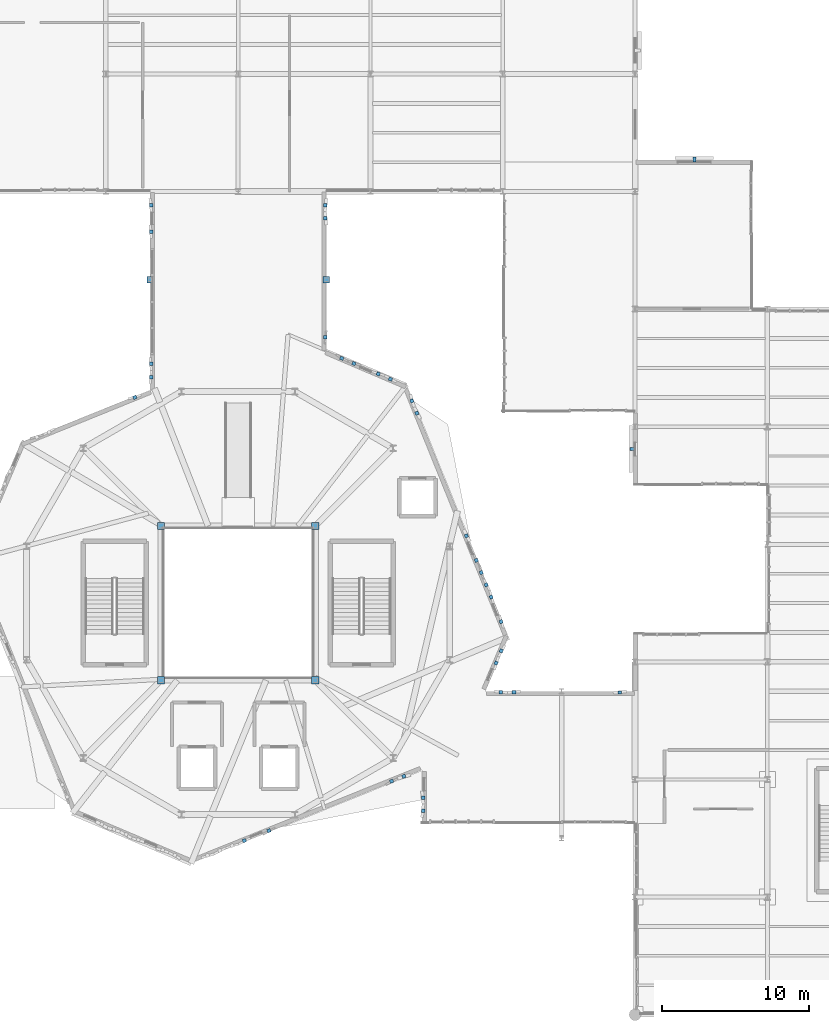
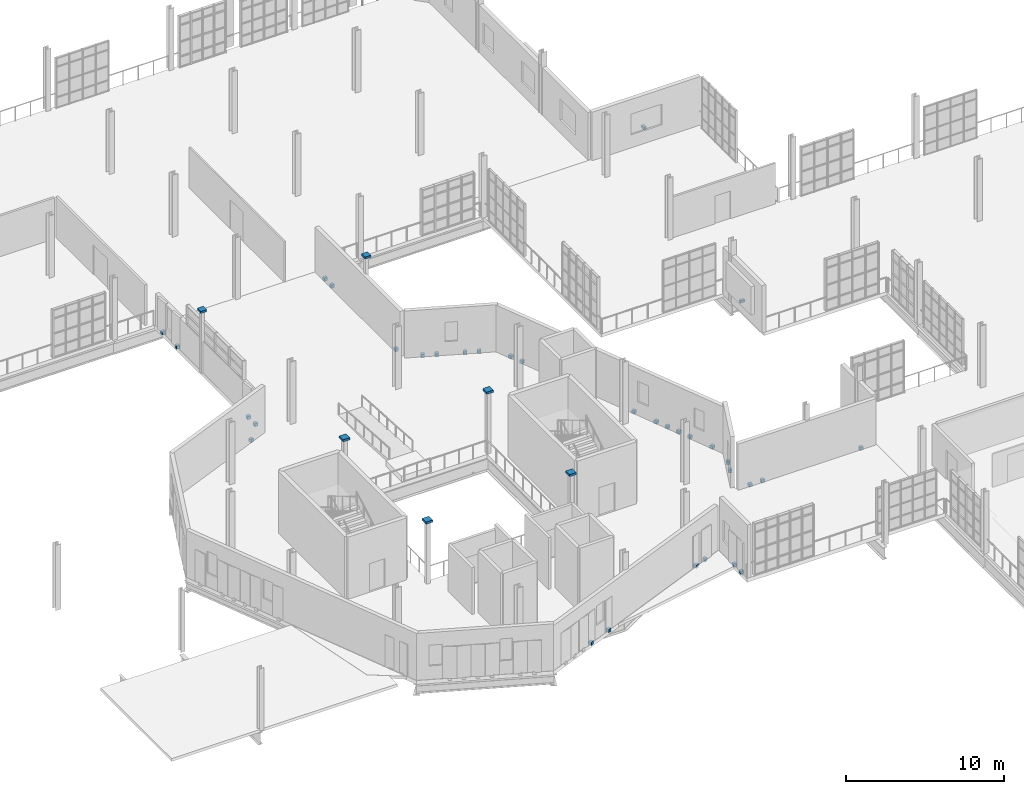
# One storey, part 107 of 122: 39 discrete accessories.
"""IFC4 building model written with IfcOpenShell, lengths in metres."""

from ifc_helpers import new_model, si_unit, direction, frame, origin, place, context, subcontext, project, spatial, polyline, outline, extrude, material, type_object, element, save


model = new_model("IFC4")

# Units and contexts
model_context = context("Model", 3, precision=1e-05, world=origin(), true_north=direction((0.0, 1.0)))
body_context = subcontext(model_context, "Body", "Model", "MODEL_VIEW")
ifc_project = project(units=[si_unit("LENGTHUNIT", "METRE"), si_unit("AREAUNIT", "SQUARE_METRE"), si_unit("VOLUMEUNIT", "CUBIC_METRE"), si_unit("PLANEANGLEUNIT", "RADIAN"), si_unit("MASSUNIT", "GRAM", prefix="KILO"), si_unit("THERMODYNAMICTEMPERATUREUNIT", "KELVIN"), si_unit("POWERUNIT", "WATT")], contexts=[model_context])

# Site, building, storey
site_placement = place(None, origin())
site = spatial("IfcSite", under=ifc_project, at=site_placement, CompositionType="ELEMENT")
building_placement = place(site_placement, origin())
building = spatial("IfcBuilding", under=site, at=building_placement, Name="Zelmaris Science Centre", CompositionType="ELEMENT")
storey_placement = place(building_placement, frame((0.0, 0.0, 10.800048828125)))
storey = spatial("IfcBuildingStorey", under=building, at=storey_placement, Name="L02", CompositionType="ELEMENT", Elevation=10.800048828125)

# Discrete accessories
ifc_material_1 = material(Name="Galvanised steel ASTM A500 Grade B", Category="steel")
discrete_accessory_type_1 = type_object("IfcDiscreteAccessoryType", Name="Facade Bracket BK-01", PredefinedType="BRACKET", material=ifc_material_1)
discrete_accessory_1_placement = place(storey_placement, frame((0.0, 0.0, -0.14013671875)))
element("IfcDiscreteAccessory", 1, at=discrete_accessory_1_placement, inside=storey, type_object=discrete_accessory_type_1, Name="L02 Facade anchorage bracket 57", PredefinedType="BRACKET", context=body_context, shape_type="SweptSolid", body=[
    extrude(outline(polyline([(93.7001953125, 21.7529296875), (93.7001953125, 21.992919921875), (93.468505859375, 21.992919921875), (93.468505859375, 21.7529296875), (93.7001953125, 21.7529296875)])), origin(), (0.0, 0.0, 1.0), 0.239990234375),
])
discrete_accessory_2_placement = place(storey_placement, frame((0.0, 0.0, -0.14013671875)))
element("IfcDiscreteAccessory", 2, at=discrete_accessory_2_placement, inside=storey, type_object=discrete_accessory_type_1, Name="L02 Facade anchorage bracket 58", PredefinedType="BRACKET", context=body_context, shape_type="SweptSolid", body=[
    extrude(outline(polyline([(93.7001953125, 22.653076171875), (93.7001953125, 22.89306640625), (93.468505859375, 22.89306640625), (93.468505859375, 22.653076171875), (93.7001953125, 22.653076171875)])), origin(), (0.0, 0.0, 1.0), 0.239990234375),
])
discrete_accessory_3_placement = place(storey_placement, frame((0.0, 0.0, -0.14013671875)))
element("IfcDiscreteAccessory", 3, at=discrete_accessory_3_placement, inside=storey, type_object=discrete_accessory_type_1, Name="L02 Facade anchorage bracket 59", PredefinedType="BRACKET", context=body_context, shape_type="SweptSolid", body=[
    extrude(outline(polyline([(92.3369140625, 24.37060546875), (92.1142578125, 24.28076171875), (92.20068359375, 24.06591796875), (92.42333984375, 24.15576171875), (92.3369140625, 24.37060546875)])), origin(), (0.0, 0.0, 1.0), 0.239990234375),
])
discrete_accessory_4_placement = place(storey_placement, frame((0.0, 0.0, -0.14013671875)))
element("IfcDiscreteAccessory", 4, at=discrete_accessory_4_placement, inside=storey, type_object=discrete_accessory_type_1, Name="L02 Facade anchorage bracket 60", PredefinedType="BRACKET", context=body_context, shape_type="SweptSolid", body=[
    extrude(outline(polyline([(91.502197265625, 24.03369140625), (91.279541015625, 23.944091796875), (91.3662109375, 23.729248046875), (91.5888671875, 23.819091796875), (91.502197265625, 24.03369140625)])), origin(), (0.0, 0.0, 1.0), 0.239990234375),
])
discrete_accessory_5_placement = place(storey_placement, frame((0.0, 0.0, -0.14013671875)))
element("IfcDiscreteAccessory", 5, at=discrete_accessory_5_placement, inside=storey, type_object=discrete_accessory_type_1, Name="L02 Facade anchorage bracket 61", PredefinedType="BRACKET", context=body_context, shape_type="SweptSolid", body=[
    extrude(outline(polyline([(83.155517578125, 20.66748046875), (82.932861328125, 20.57763671875), (83.01953125, 20.36279296875), (83.2421875, 20.45263671875), (83.155517578125, 20.66748046875)])), origin(), (0.0, 0.0, 1.0), 0.239990234375),
])
discrete_accessory_6_placement = place(storey_placement, frame((0.0, 0.0, -0.14013671875)))
element("IfcDiscreteAccessory", 6, at=discrete_accessory_6_placement, inside=storey, type_object=discrete_accessory_type_1, Name="L02 Facade anchorage bracket 62", PredefinedType="BRACKET", context=body_context, shape_type="SweptSolid", body=[
    extrude(outline(polyline([(81.486083984375, 19.994140625), (81.263427734375, 19.904296875), (81.35009765625, 19.689453125), (81.57275390625, 19.779296875), (81.486083984375, 19.994140625)])), origin(), (0.0, 0.0, 1.0), 0.239990234375),
])
discrete_accessory_7_placement = place(storey_placement, frame((0.0, 0.0, -0.14013671875)))
element("IfcDiscreteAccessory", 7, at=discrete_accessory_7_placement, inside=storey, type_object=discrete_accessory_type_1, Name="L02 Facade anchorage bracket 88", PredefinedType="BRACKET", context=body_context, shape_type="SweptSolid", body=[
    extrude(outline(polyline([(73.905517578125, 49.842041015625), (74.1279296875, 49.932373046875), (74.041015625, 50.14697265625), (73.818603515625, 50.056640625), (73.905517578125, 49.842041015625)])), origin(), (0.0, 0.0, 1.0), 0.239990234375),
])
discrete_accessory_8_placement = place(storey_placement, frame((0.0, 0.0, -0.14013671875)))
element("IfcDiscreteAccessory", 8, at=discrete_accessory_8_placement, inside=storey, type_object=discrete_accessory_type_1, Name="L02 Facade anchorage bracket 89", PredefinedType="BRACKET", context=body_context, shape_type="SweptSolid", body=[
    extrude(outline(polyline([(75.193115234375, 51.24951171875), (75.193359375, 51.489501953125), (74.961669921875, 51.489501953125), (74.961669921875, 51.24951171875), (75.193115234375, 51.24951171875)])), origin(), (0.0, 0.0, 1.0), 0.239990234375),
])
discrete_accessory_9_placement = place(storey_placement, frame((0.0, 0.0, -0.14013671875)))
element("IfcDiscreteAccessory", 9, at=discrete_accessory_9_placement, inside=storey, type_object=discrete_accessory_type_1, Name="L02 Facade anchorage bracket 90", PredefinedType="BRACKET", context=body_context, shape_type="SweptSolid", body=[
    extrude(outline(polyline([(75.193603515625, 52.1494140625), (75.19384765625, 52.389404296875), (74.962158203125, 52.389404296875), (74.962158203125, 52.1494140625), (75.193603515625, 52.1494140625)])), origin(), (0.0, 0.0, 1.0), 0.239990234375),
])
discrete_accessory_10_placement = place(storey_placement, frame((0.0, 0.0, -0.14013671875)))
element("IfcDiscreteAccessory", 10, at=discrete_accessory_10_placement, inside=storey, type_object=discrete_accessory_type_1, Name="L02 Facade anchorage bracket 91", PredefinedType="BRACKET", context=body_context, shape_type="SweptSolid", body=[
    extrude(outline(polyline([(75.198486328125, 61.1494140625), (75.198486328125, 61.389404296875), (74.967041015625, 61.389404296875), (74.966796875, 61.1494140625), (75.198486328125, 61.1494140625)])), origin(), (0.0, 0.0, 1.0), 0.239990234375),
])
discrete_accessory_11_placement = place(storey_placement, frame((0.0, 0.0, -0.14013671875)))
element("IfcDiscreteAccessory", 11, at=discrete_accessory_11_placement, inside=storey, type_object=discrete_accessory_type_1, Name="L02 Facade anchorage bracket 92", PredefinedType="BRACKET", context=body_context, shape_type="SweptSolid", body=[
    extrude(outline(polyline([(75.199462890625, 62.949462890625), (75.19970703125, 63.189453125), (74.968017578125, 63.189453125), (74.968017578125, 62.949462890625), (75.199462890625, 62.949462890625)])), origin(), (0.0, 0.0, 1.0), 0.239990234375),
])
discrete_accessory_12_placement = place(storey_placement, frame((0.0, 0.0, -0.14013671875)))
element("IfcDiscreteAccessory", 12, at=discrete_accessory_12_placement, inside=storey, type_object=discrete_accessory_type_1, Name="L02 Facade anchorage bracket 93", PredefinedType="BRACKET", context=body_context, shape_type="SweptSolid", body=[
    extrude(outline(polyline([(92.662841796875, 49.825439453125), (92.752685546875, 49.602783203125), (92.967529296875, 49.689697265625), (92.877685546875, 49.912109375), (92.662841796875, 49.825439453125)])), origin(), (0.0, 0.0, 1.0), 0.239990234375),
])
discrete_accessory_13_placement = place(storey_placement, frame((0.0, 0.0, -0.14013671875)))
element("IfcDiscreteAccessory", 13, at=discrete_accessory_13_placement, inside=storey, type_object=discrete_accessory_type_1, Name="L02 Facade anchorage bracket 94", PredefinedType="BRACKET", context=body_context, shape_type="SweptSolid", body=[
    extrude(outline(polyline([(93.0, 48.990966796875), (93.08984375, 48.7685546875), (93.3046875, 48.855224609375), (93.214599609375, 49.07763671875), (93.0, 48.990966796875)])), origin(), (0.0, 0.0, 1.0), 0.239990234375),
])
discrete_accessory_14_placement = place(storey_placement, frame((0.0, 0.0, -0.14013671875)))
element("IfcDiscreteAccessory", 14, at=discrete_accessory_14_placement, inside=storey, type_object=discrete_accessory_type_1, Name="L02 Facade anchorage bracket 95", PredefinedType="BRACKET", context=body_context, shape_type="SweptSolid", body=[
    extrude(outline(polyline([(96.371337890625, 40.646240234375), (96.461181640625, 40.423828125), (96.676025390625, 40.510498046875), (96.586181640625, 40.733154296875), (96.371337890625, 40.646240234375)])), origin(), (0.0, 0.0, 1.0), 0.239990234375),
])
discrete_accessory_15_placement = place(storey_placement, frame((0.0, 0.0, -0.14013671875)))
element("IfcDiscreteAccessory", 15, at=discrete_accessory_15_placement, inside=storey, type_object=discrete_accessory_type_1, Name="L02 Facade anchorage bracket 96", PredefinedType="BRACKET", context=body_context, shape_type="SweptSolid", body=[
    extrude(outline(polyline([(97.045654296875, 38.977294921875), (97.135498046875, 38.7548828125), (97.350341796875, 38.841552734375), (97.260498046875, 39.064208984375), (97.045654296875, 38.977294921875)])), origin(), (0.0, 0.0, 1.0), 0.239990234375),
])
discrete_accessory_16_placement = place(storey_placement, frame((0.0, 0.0, -0.14013671875)))
element("IfcDiscreteAccessory", 16, at=discrete_accessory_16_placement, inside=storey, type_object=discrete_accessory_type_1, Name="L02 Facade anchorage bracket 97", PredefinedType="BRACKET", context=body_context, shape_type="SweptSolid", body=[
    extrude(outline(polyline([(97.3828125, 38.142822265625), (97.472900390625, 37.92041015625), (97.6875, 38.007080078125), (97.59765625, 38.229736328125), (97.3828125, 38.142822265625)])), origin(), (0.0, 0.0, 1.0), 0.239990234375),
])
discrete_accessory_17_placement = place(storey_placement, frame((0.0, 0.0, -0.14013671875)))
element("IfcDiscreteAccessory", 17, at=discrete_accessory_17_placement, inside=storey, type_object=discrete_accessory_type_1, Name="L02 Facade anchorage bracket 98", PredefinedType="BRACKET", context=body_context, shape_type="SweptSolid", body=[
    extrude(outline(polyline([(97.719970703125, 37.30859375), (97.809814453125, 37.0859375), (98.024658203125, 37.172607421875), (97.934814453125, 37.395263671875), (97.719970703125, 37.30859375)])), origin(), (0.0, 0.0, 1.0), 0.239990234375),
])
discrete_accessory_18_placement = place(storey_placement, frame((0.0, 0.0, -0.14013671875)))
element("IfcDiscreteAccessory", 18, at=discrete_accessory_18_placement, inside=storey, type_object=discrete_accessory_type_1, Name="L02 Facade anchorage bracket 99", PredefinedType="BRACKET", context=body_context, shape_type="SweptSolid", body=[
    extrude(outline(polyline([(98.05712890625, 36.47412109375), (98.147216796875, 36.25146484375), (98.36181640625, 36.338134765625), (98.27197265625, 36.560791015625), (98.05712890625, 36.47412109375)])), origin(), (0.0, 0.0, 1.0), 0.239990234375),
])
discrete_accessory_19_placement = place(storey_placement, frame((0.0, 0.0, -0.14013671875)))
element("IfcDiscreteAccessory", 19, at=discrete_accessory_19_placement, inside=storey, type_object=discrete_accessory_type_1, Name="L02 Facade anchorage bracket 100", PredefinedType="BRACKET", context=body_context, shape_type="SweptSolid", body=[
    extrude(outline(polyline([(98.7314453125, 34.80517578125), (98.8212890625, 34.58251953125), (99.0361328125, 34.669189453125), (98.9462890625, 34.891845703125), (98.7314453125, 34.80517578125)])), origin(), (0.0, 0.0, 1.0), 0.239990234375),
])
discrete_accessory_20_placement = place(storey_placement, frame((0.0, 0.0, -0.14013671875)))
element("IfcDiscreteAccessory", 20, at=discrete_accessory_20_placement, inside=storey, type_object=discrete_accessory_type_1, Name="L02 Facade anchorage bracket 101", PredefinedType="BRACKET", context=body_context, shape_type="SweptSolid", body=[
    extrude(outline(polyline([(98.839111328125, 32.909912109375), (98.7451171875, 32.689208984375), (98.95849609375, 32.5986328125), (99.052001953125, 32.819580078125), (98.839111328125, 32.909912109375)])), origin(), (0.0, 0.0, 1.0), 0.239990234375),
])
discrete_accessory_21_placement = place(storey_placement, frame((0.0, 0.0, -0.14013671875)))
element("IfcDiscreteAccessory", 21, at=discrete_accessory_21_placement, inside=storey, type_object=discrete_accessory_type_1, Name="L02 Facade anchorage bracket 102", PredefinedType="BRACKET", context=body_context, shape_type="SweptSolid", body=[
    extrude(outline(polyline([(98.4873046875, 32.08154296875), (98.3935546875, 31.860595703125), (98.606689453125, 31.77001953125), (98.700439453125, 31.9912109375), (98.4873046875, 32.08154296875)])), origin(), (0.0, 0.0, 1.0), 0.239990234375),
])
discrete_accessory_22_placement = place(storey_placement, frame((0.0, 0.0, -0.14013671875)))
element("IfcDiscreteAccessory", 22, at=discrete_accessory_22_placement, inside=storey, type_object=discrete_accessory_type_1, Name="L02 Facade anchorage bracket 103", PredefinedType="BRACKET", context=body_context, shape_type="SweptSolid", body=[
    extrude(outline(polyline([(98.744873046875, 29.809326171875), (98.98486328125, 29.80908203125), (98.985107421875, 30.040771484375), (98.7451171875, 30.041015625), (98.744873046875, 29.809326171875)])), origin(), (0.0, 0.0, 1.0), 0.239990234375),
])
discrete_accessory_23_placement = place(storey_placement, frame((0.0, 0.0, -0.14013671875)))
element("IfcDiscreteAccessory", 23, at=discrete_accessory_23_placement, inside=storey, type_object=discrete_accessory_type_1, Name="L02 Facade anchorage bracket 104", PredefinedType="BRACKET", context=body_context, shape_type="SweptSolid", body=[
    extrude(outline(polyline([(99.644775390625, 29.80859375), (99.884765625, 29.808349609375), (99.885009765625, 30.0400390625), (99.64501953125, 30.040283203125), (99.644775390625, 29.80859375)])), origin(), (0.0, 0.0, 1.0), 0.239990234375),
])
discrete_accessory_24_placement = place(storey_placement, frame((0.0, 0.0, -0.14013671875)))
element("IfcDiscreteAccessory", 24, at=discrete_accessory_24_placement, inside=storey, type_object=discrete_accessory_type_1, Name="L02 Facade anchorage bracket 105", PredefinedType="BRACKET", context=body_context, shape_type="SweptSolid", body=[
    extrude(outline(polyline([(106.8447265625, 29.802001953125), (107.084716796875, 29.802001953125), (107.0849609375, 30.033447265625), (106.844970703125, 30.03369140625), (106.8447265625, 29.802001953125)])), origin(), (0.0, 0.0, 1.0), 0.239990234375),
])
discrete_accessory_25_placement = place(storey_placement, frame((0.0, 0.0, -0.14013671875)))
element("IfcDiscreteAccessory", 25, at=discrete_accessory_25_placement, inside=storey, type_object=discrete_accessory_type_1, Name="L02 Facade anchorage bracket 106", PredefinedType="BRACKET", context=body_context, shape_type="SweptSolid", body=[
    extrude(outline(polyline([(86.806884765625, 63.19970703125), (86.806884765625, 62.959716796875), (87.03857421875, 62.959716796875), (87.03857421875, 63.19970703125), (86.806884765625, 63.19970703125)])), origin(), (0.0, 0.0, 1.0), 0.239990234375),
])
discrete_accessory_26_placement = place(storey_placement, frame((0.0, 0.0, -0.14013671875)))
element("IfcDiscreteAccessory", 26, at=discrete_accessory_26_placement, inside=storey, type_object=discrete_accessory_type_1, Name="L02 Facade anchorage bracket 107", PredefinedType="BRACKET", context=body_context, shape_type="SweptSolid", body=[
    extrude(outline(polyline([(86.806640625, 62.2998046875), (86.806640625, 62.059814453125), (87.0380859375, 62.0595703125), (87.038330078125, 62.299560546875), (86.806640625, 62.2998046875)])), origin(), (0.0, 0.0, 1.0), 0.239990234375),
])
discrete_accessory_27_placement = place(storey_placement, frame((0.0, 0.0, -0.14013671875)))
element("IfcDiscreteAccessory", 27, at=discrete_accessory_27_placement, inside=storey, type_object=discrete_accessory_type_1, Name="L02 Facade anchorage bracket 108", PredefinedType="BRACKET", context=body_context, shape_type="SweptSolid", body=[
    extrude(outline(polyline([(86.8046875, 54.19970703125), (86.8046875, 53.959716796875), (87.036376953125, 53.959716796875), (87.036376953125, 54.19970703125), (86.8046875, 54.19970703125)])), origin(), (0.0, 0.0, 1.0), 0.239990234375),
])
discrete_accessory_28_placement = place(storey_placement, frame((0.0, 0.0, -0.14013671875)))
element("IfcDiscreteAccessory", 28, at=discrete_accessory_28_placement, inside=storey, type_object=discrete_accessory_type_1, Name="L02 Facade anchorage bracket 109", PredefinedType="BRACKET", context=body_context, shape_type="SweptSolid", body=[
    extrude(outline(polyline([(87.8896484375, 52.5947265625), (88.1103515625, 52.500244140625), (88.201416015625, 52.713134765625), (87.980712890625, 52.8076171875), (87.8896484375, 52.5947265625)])), origin(), (0.0, 0.0, 1.0), 0.239990234375),
])
discrete_accessory_29_placement = place(storey_placement, frame((0.0, 0.0, -0.14013671875)))
element("IfcDiscreteAccessory", 29, at=discrete_accessory_29_placement, inside=storey, type_object=discrete_accessory_type_1, Name="L02 Facade anchorage bracket 110", PredefinedType="BRACKET", context=body_context, shape_type="SweptSolid", body=[
    extrude(outline(polyline([(88.717041015625, 52.240478515625), (88.937744140625, 52.146240234375), (89.02880859375, 52.359130859375), (88.80810546875, 52.45361328125), (88.717041015625, 52.240478515625)])), origin(), (0.0, 0.0, 1.0), 0.239990234375),
])
discrete_accessory_30_placement = place(storey_placement, frame((0.0, 0.0, -0.14013671875)))
element("IfcDiscreteAccessory", 30, at=discrete_accessory_30_placement, inside=storey, type_object=discrete_accessory_type_1, Name="L02 Facade anchorage bracket 111", PredefinedType="BRACKET", context=body_context, shape_type="SweptSolid", body=[
    extrude(outline(polyline([(90.371826171875, 51.532470703125), (90.592529296875, 51.43798828125), (90.68359375, 51.65087890625), (90.463134765625, 51.745361328125), (90.371826171875, 51.532470703125)])), origin(), (0.0, 0.0, 1.0), 0.239990234375),
])
discrete_accessory_31_placement = place(storey_placement, frame((0.0, 0.0, -0.14013671875)))
element("IfcDiscreteAccessory", 31, at=discrete_accessory_31_placement, inside=storey, type_object=discrete_accessory_type_1, Name="L02 Facade anchorage bracket 112", PredefinedType="BRACKET", context=body_context, shape_type="SweptSolid", body=[
    extrude(outline(polyline([(91.199462890625, 51.17822265625), (91.419921875, 51.083984375), (91.510986328125, 51.296875), (91.29052734375, 51.391357421875), (91.199462890625, 51.17822265625)])), origin(), (0.0, 0.0, 1.0), 0.239990234375),
])
discrete_accessory_type_2 = type_object("IfcDiscreteAccessoryType", Name="Facade Bracket BK-02", PredefinedType="BRACKET", material=ifc_material_1)
discrete_accessory_32_placement = place(storey_placement, frame((0.0, 0.0, 0.919921875)))
element("IfcDiscreteAccessory", 32, at=discrete_accessory_32_placement, inside=storey, type_object=discrete_accessory_type_2, Name="L02 Louvre support bracket 22", PredefinedType="BRACKET", context=body_context, shape_type="SweptSolid", body=[
    extrude(outline(polyline([(111.929931640625, 66.0), (112.1298828125, 66.0), (112.1298828125, 66.340087890625), (111.929931640625, 66.340087890625), (111.929931640625, 66.0)])), origin(), (0.0, 0.0, 1.0), 0.179931640625),
])
discrete_accessory_33_placement = place(storey_placement, frame((0.0, 0.0, 0.919921875)))
element("IfcDiscreteAccessory", 33, at=discrete_accessory_33_placement, inside=storey, type_object=discrete_accessory_type_2, Name="L02 Louvre support bracket 29", PredefinedType="BRACKET", context=body_context, shape_type="SweptSolid", body=[
    extrude(outline(polyline([(108.0, 46.3701171875), (108.0, 46.570068359375), (107.64990234375, 46.570068359375), (107.64990234375, 46.3701171875), (108.0, 46.3701171875)])), origin(), (0.0, 0.0, 1.0), 0.179931640625),
])
ifc_material_2 = material(Name="Steel ASTM A500 Grade C", Category="steel")
discrete_accessory_type_3 = type_object("IfcDiscreteAccessoryType", Name="Hollow Section End Cap Plate BK-ECP", PredefinedType="BRACKET", material=ifc_material_2)
discrete_accessory_34_placement = place(storey_placement, frame((0.0, 0.0, 4.72705078125)))
element("IfcDiscreteAccessory", 34, at=discrete_accessory_34_placement, inside=storey, type_object=discrete_accessory_type_3, Name="End cap plate 5", PredefinedType="BRACKET", context=body_context, shape_type="SweptSolid", body=[
    extrude(outline(polyline([(75.502197265625, 30.502197265625), (75.997802734375, 30.502197265625), (75.997802734375, 30.997802734375), (75.502197265625, 30.997802734375), (75.502197265625, 30.502197265625)])), origin(), (0.0, 0.0, 1.0), 0.157958984375),
])
discrete_accessory_35_placement = place(storey_placement, frame((0.0, 0.0, 4.72705078125)))
element("IfcDiscreteAccessory", 35, at=discrete_accessory_35_placement, inside=storey, type_object=discrete_accessory_type_3, Name="End cap plate 13", PredefinedType="BRACKET", context=body_context, shape_type="SweptSolid", body=[
    extrude(outline(polyline([(86.002197265625, 30.502197265625), (86.497802734375, 30.502197265625), (86.497802734375, 30.997802734375), (86.002197265625, 30.997802734375), (86.002197265625, 30.502197265625)])), origin(), (0.0, 0.0, 1.0), 0.157958984375),
])
discrete_accessory_36_placement = place(storey_placement, frame((0.0, 0.0, 4.72705078125)))
element("IfcDiscreteAccessory", 36, at=discrete_accessory_36_placement, inside=storey, type_object=discrete_accessory_type_3, Name="End cap plate 21", PredefinedType="BRACKET", context=body_context, shape_type="SweptSolid", body=[
    extrude(outline(polyline([(86.002197265625, 41.002197265625), (86.497802734375, 41.002197265625), (86.497802734375, 41.497802734375), (86.002197265625, 41.497802734375), (86.002197265625, 41.002197265625)])), origin(), (0.0, 0.0, 1.0), 0.157958984375),
])
discrete_accessory_37_placement = place(storey_placement, frame((0.0, 0.0, 4.72705078125)))
element("IfcDiscreteAccessory", 37, at=discrete_accessory_37_placement, inside=storey, type_object=discrete_accessory_type_3, Name="End cap plate 29", PredefinedType="BRACKET", context=body_context, shape_type="SweptSolid", body=[
    extrude(outline(polyline([(75.502197265625, 41.002197265625), (75.997802734375, 41.002197265625), (75.997802734375, 41.497802734375), (75.502197265625, 41.497802734375), (75.502197265625, 41.002197265625)])), origin(), (0.0, 0.0, 1.0), 0.157958984375),
])
discrete_accessory_38_placement = place(storey_placement, frame((0.0, 0.0, 4.72705078125)))
element("IfcDiscreteAccessory", 38, at=discrete_accessory_38_placement, inside=storey, type_object=discrete_accessory_type_3, Name="End cap plate 45", PredefinedType="BRACKET", context=body_context, shape_type="SweptSolid", body=[
    extrude(outline(polyline([(74.78076171875, 57.78076171875), (75.21923828125, 57.78076171875), (75.21923828125, 58.21923828125), (74.78076171875, 58.21923828125), (74.78076171875, 57.78076171875)])), origin(), (0.0, 0.0, 1.0), 0.157958984375),
])
discrete_accessory_39_placement = place(storey_placement, frame((0.0, 0.0, 4.72705078125)))
element("IfcDiscreteAccessory", 39, at=discrete_accessory_39_placement, inside=storey, type_object=discrete_accessory_type_3, Name="End cap plate 53", PredefinedType="BRACKET", context=body_context, shape_type="SweptSolid", body=[
    extrude(outline(polyline([(86.78076171875, 57.78076171875), (87.21923828125, 57.78076171875), (87.21923828125, 58.21923828125), (86.78076171875, 58.21923828125), (86.78076171875, 57.78076171875)])), origin(), (0.0, 0.0, 1.0), 0.157958984375),
])

save(model, "model.ifc")
